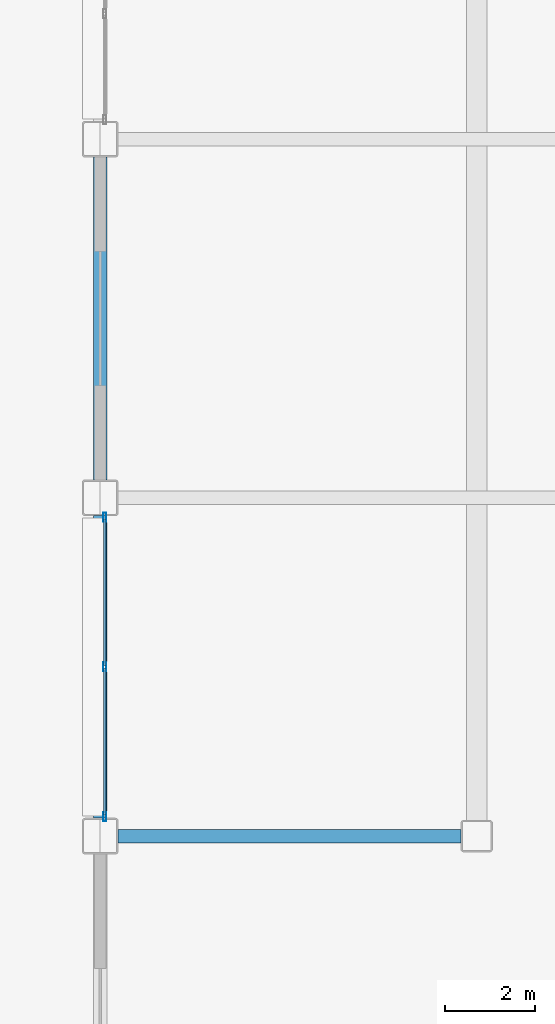
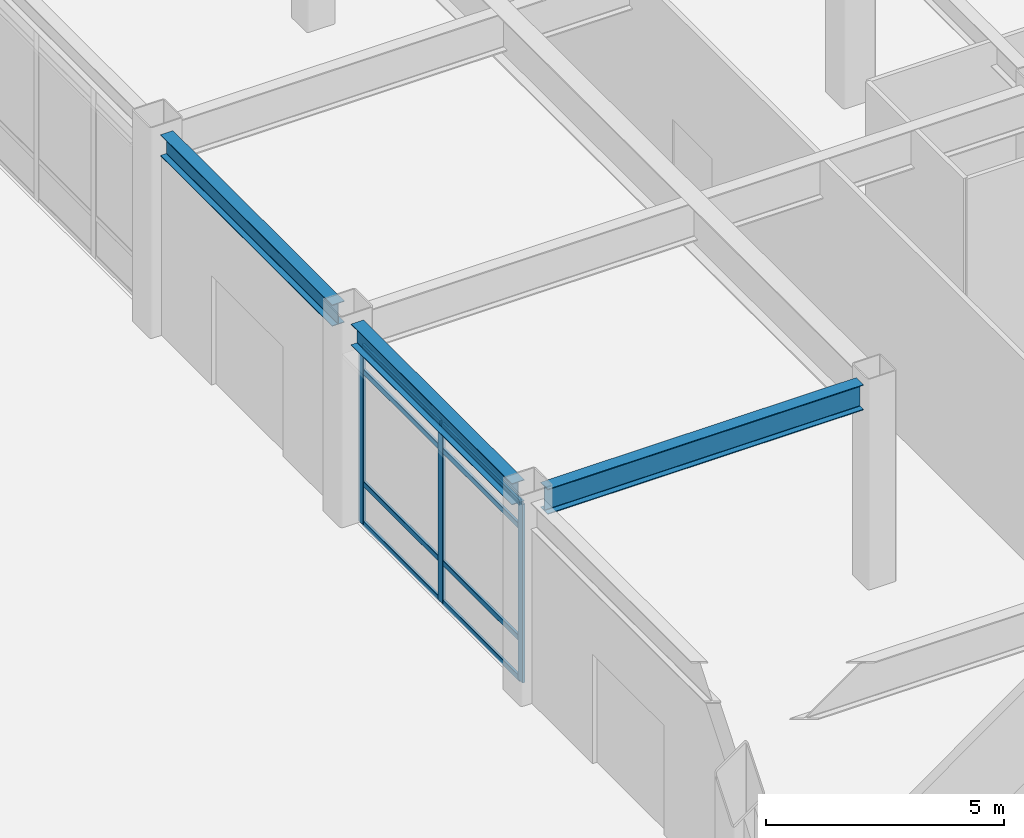
# One storey, part 101 of 165: 11 members, 3 beams, 1 element without a shape of its own.
"""IFC4 building model written with IfcOpenShell, lengths in metres."""

from ifc_helpers import new_model, si_unit, direction, frame, origin, origin_2d, place, context, subcontext, project, spatial, hollow_rectangle, i_section, extrude, material, layer, layer_set, material_profile, profile_set, type_object, element, aggregate, save


model = new_model("IFC4")

# Units and contexts
model_context = context("Model", 3, precision=1e-05, world=origin(), true_north=direction((0.0, 1.0)))
body_context = subcontext(model_context, "Body", "Model", "MODEL_VIEW")
ifc_project = project(units=[si_unit("LENGTHUNIT", "METRE"), si_unit("AREAUNIT", "SQUARE_METRE"), si_unit("VOLUMEUNIT", "CUBIC_METRE"), si_unit("PLANEANGLEUNIT", "RADIAN"), si_unit("MASSUNIT", "GRAM", prefix="KILO")], contexts=[model_context])

# Site, building, storey
site_placement = place(None, origin())
site = spatial("IfcSite", under=ifc_project, at=site_placement, CompositionType="ELEMENT")
building_placement = place(site_placement, origin())
building = spatial("IfcBuilding", under=site, at=building_placement, Name="Kazehara Bluff Congress Hotel", CompositionType="ELEMENT")
storey_placement = place(building_placement, origin())
storey = spatial("IfcBuildingStorey", under=building, at=storey_placement, Name="L00", CompositionType="ELEMENT", Elevation=0.0)

# Curtain wall, members
ifc_material_1 = material(Name="Anodised aluminium", Category="aluminium")
ifc_layer = layer(ifc_material_1, 0.159912109375)
ifc_layer_set = layer_set([ifc_layer], Name="Anodised aluminium")
curtain_wall_type = type_object("IfcCurtainWallType", Name="TP-CW-103", PredefinedType="NOTDEFINED", material=ifc_layer_set)
curtain_wall_placement = place(storey_placement, origin())
curtain_wall = element("IfcCurtainWall", 1, at=curtain_wall_placement, inside=storey, type_object=curtain_wall_type, Name="L00 curtain wall CW-103 CW-ENC-V5-L00-14380-7712", PredefinedType="NOTDEFINED")
ifc_material_2 = material(Name="Anodised aluminium", Category="aluminium")
ifc_material_profile_1 = material_profile(ifc_material_2, hollow_rectangle(XDim=0.070068359375, YDim=0.199951171875, WallThickness=0.0048828125, InnerFilletRadius=0.0048828125, OuterFilletRadius=0.010009765625, at=origin_2d()))
ifc_profile_set_1 = profile_set([ifc_material_profile_1], Name="Anodised aluminium")
member_type_1 = type_object("IfcMemberType", Name="TP-CWM-03", PredefinedType="MULLION", material=ifc_profile_set_1)
member_1_placement = place(storey_placement, frame((143.800048828125, 73.784912109375, 0.0), z_axis=(0.0, 0.0, 1.0), x_axis=(-1.0, 0.0, 0.0)))
member_1 = element("IfcMember", 2, at=member_1_placement, type_object=member_type_1, Name="CW-103 mullion 1", PredefinedType="MULLION", context=body_context, shape_type="SweptSolid", body=[
    extrude(hollow_rectangle(XDim=0.070068359375, YDim=0.199951171875, WallThickness=0.0048828125, InnerFilletRadius=0.0048828125, OuterFilletRadius=0.010009765625, at=origin_2d()), origin(), (0.0, 0.0, 1.0), 4.574951171875),
])
member_2_placement = place(storey_placement, frame((143.800048828125, 77.125, 0.0), z_axis=(0.0, 0.0, 1.0), x_axis=(-1.0, 0.0, 0.0)))
member_2 = element("IfcMember", 3, at=member_2_placement, type_object=member_type_1, Name="CW-103 mullion 2", PredefinedType="MULLION", context=body_context, shape_type="SweptSolid", body=[
    extrude(hollow_rectangle(XDim=0.070068359375, YDim=0.199951171875, WallThickness=0.0048828125, InnerFilletRadius=0.0048828125, OuterFilletRadius=0.010009765625, at=origin_2d()), origin(), (0.0, 0.0, 1.0), 4.574951171875),
])
member_3_placement = place(storey_placement, frame((143.800048828125, 80.465087890625, 0.0), z_axis=(0.0, 0.0, 1.0), x_axis=(-1.0, 0.0, 0.0)))
member_3 = element("IfcMember", 4, at=member_3_placement, type_object=member_type_1, Name="CW-103 mullion 3", PredefinedType="MULLION", context=body_context, shape_type="SweptSolid", body=[
    extrude(hollow_rectangle(XDim=0.070068359375, YDim=0.199951171875, WallThickness=0.0048828125, InnerFilletRadius=0.0048828125, OuterFilletRadius=0.010009765625, at=origin_2d()), origin(), (0.0, 0.0, 1.0), 4.574951171875),
])
ifc_material_3 = material(Name="Anodised aluminium", Category="aluminium")
ifc_material_profile_2 = material_profile(ifc_material_3, hollow_rectangle(XDim=0.06494140625, YDim=0.139892578125, WallThickness=0.00390625, InnerFilletRadius=0.00390625, OuterFilletRadius=0.008056640625, at=origin_2d()))
ifc_profile_set_2 = profile_set([ifc_material_profile_2], Name="Anodised aluminium")
member_type_2 = type_object("IfcMemberType", Name="TP-CWT-02", PredefinedType="USERDEFINED", material=ifc_profile_set_2)
member_4_placement = place(storey_placement, frame((143.800048828125, 73.820068359375, 0.032470703125), z_axis=(0.0, 1.0, 0.0), x_axis=(-1.0, 0.0, 0.0)))
member_4 = element("IfcMember", 5, at=member_4_placement, type_object=member_type_2, Name="CW-103 transom 1.1", ObjectType="TRANSOM", PredefinedType="USERDEFINED", context=body_context, shape_type="SweptSolid", body=[
    extrude(hollow_rectangle(XDim=0.06494140625, YDim=0.139892578125, WallThickness=0.00390625, InnerFilletRadius=0.00390625, OuterFilletRadius=0.008056640625, at=origin_2d()), origin(), (0.0, 0.0, 1.0), 3.27001953125),
])
member_5_placement = place(storey_placement, frame((143.800048828125, 73.820068359375, 1.050048828125), z_axis=(0.0, 1.0, 0.0), x_axis=(-1.0, 0.0, 0.0)))
member_5 = element("IfcMember", 6, at=member_5_placement, type_object=member_type_2, Name="CW-103 transom 1.2", ObjectType="TRANSOM", PredefinedType="USERDEFINED", context=body_context, shape_type="SweptSolid", body=[
    extrude(hollow_rectangle(XDim=0.06494140625, YDim=0.139892578125, WallThickness=0.00390625, InnerFilletRadius=0.00390625, OuterFilletRadius=0.008056640625, at=origin_2d()), origin(), (0.0, 0.0, 1.0), 3.27001953125),
])
member_6_placement = place(storey_placement, frame((143.800048828125, 73.820068359375, 3.925048828125), z_axis=(0.0, 1.0, 0.0), x_axis=(-1.0, 0.0, 0.0)))
member_6 = element("IfcMember", 7, at=member_6_placement, type_object=member_type_2, Name="CW-103 transom 1.3", ObjectType="TRANSOM", PredefinedType="USERDEFINED", context=body_context, shape_type="SweptSolid", body=[
    extrude(hollow_rectangle(XDim=0.06494140625, YDim=0.139892578125, WallThickness=0.00390625, InnerFilletRadius=0.00390625, OuterFilletRadius=0.008056640625, at=origin_2d()), origin(), (0.0, 0.0, 1.0), 3.27001953125),
])
member_7_placement = place(storey_placement, frame((143.800048828125, 73.820068359375, 4.54248046875), z_axis=(0.0, 1.0, 0.0), x_axis=(-1.0, 0.0, 0.0)))
member_7 = element("IfcMember", 8, at=member_7_placement, type_object=member_type_2, Name="CW-103 transom 1.4", ObjectType="TRANSOM", PredefinedType="USERDEFINED", context=body_context, shape_type="SweptSolid", body=[
    extrude(hollow_rectangle(XDim=0.06494140625, YDim=0.139892578125, WallThickness=0.00390625, InnerFilletRadius=0.00390625, OuterFilletRadius=0.008056640625, at=origin_2d()), origin(), (0.0, 0.0, 1.0), 3.27001953125),
])
member_8_placement = place(storey_placement, frame((143.800048828125, 77.159912109375, 0.032470703125), z_axis=(0.0, 1.0, 0.0), x_axis=(-1.0, 0.0, 0.0)))
member_8 = element("IfcMember", 9, at=member_8_placement, type_object=member_type_2, Name="CW-103 transom 2.1", ObjectType="TRANSOM", PredefinedType="USERDEFINED", context=body_context, shape_type="SweptSolid", body=[
    extrude(hollow_rectangle(XDim=0.06494140625, YDim=0.139892578125, WallThickness=0.00390625, InnerFilletRadius=0.00390625, OuterFilletRadius=0.008056640625, at=origin_2d()), origin(), (0.0, 0.0, 1.0), 3.27001953125),
])
member_9_placement = place(storey_placement, frame((143.800048828125, 77.159912109375, 1.050048828125), z_axis=(0.0, 1.0, 0.0), x_axis=(-1.0, 0.0, 0.0)))
member_9 = element("IfcMember", 10, at=member_9_placement, type_object=member_type_2, Name="CW-103 transom 2.2", ObjectType="TRANSOM", PredefinedType="USERDEFINED", context=body_context, shape_type="SweptSolid", body=[
    extrude(hollow_rectangle(XDim=0.06494140625, YDim=0.139892578125, WallThickness=0.00390625, InnerFilletRadius=0.00390625, OuterFilletRadius=0.008056640625, at=origin_2d()), origin(), (0.0, 0.0, 1.0), 3.27001953125),
])
member_10_placement = place(storey_placement, frame((143.800048828125, 77.159912109375, 3.925048828125), z_axis=(0.0, 1.0, 0.0), x_axis=(-1.0, 0.0, 0.0)))
member_10 = element("IfcMember", 11, at=member_10_placement, type_object=member_type_2, Name="CW-103 transom 2.3", ObjectType="TRANSOM", PredefinedType="USERDEFINED", context=body_context, shape_type="SweptSolid", body=[
    extrude(hollow_rectangle(XDim=0.06494140625, YDim=0.139892578125, WallThickness=0.00390625, InnerFilletRadius=0.00390625, OuterFilletRadius=0.008056640625, at=origin_2d()), origin(), (0.0, 0.0, 1.0), 3.27001953125),
])
member_11_placement = place(storey_placement, frame((143.800048828125, 77.159912109375, 4.54248046875), z_axis=(0.0, 1.0, 0.0), x_axis=(-1.0, 0.0, 0.0)))
member_11 = element("IfcMember", 12, at=member_11_placement, type_object=member_type_2, Name="CW-103 transom 2.4", ObjectType="TRANSOM", PredefinedType="USERDEFINED", context=body_context, shape_type="SweptSolid", body=[
    extrude(hollow_rectangle(XDim=0.06494140625, YDim=0.139892578125, WallThickness=0.00390625, InnerFilletRadius=0.00390625, OuterFilletRadius=0.008056640625, at=origin_2d()), origin(), (0.0, 0.0, 1.0), 3.27001953125),
])
aggregate(curtain_wall, [member_1, member_2, member_3, member_4, member_5, member_6, member_7, member_8, member_9, member_10, member_11])

# Beams
ifc_material_4 = material(Name="Steel SN490B", Category="steel")
ifc_material_profile_3 = material_profile(ifc_material_4, i_section(OverallWidth=0.300048828125, OverallDepth=0.64990234375, WebThickness=0.011962890625, FlangeThickness=0.02001953125, FilletRadius=0.012939453125, at=origin_2d()))
ifc_profile_set_3 = profile_set([ifc_material_profile_3], Name="Steel SN490B")
beam_type_1 = type_object("IfcBeamType", Name="TP-G-03", PredefinedType="BEAM", material=ifc_profile_set_3)
beam_1_placement = place(storey_placement, frame((144.10009765625, 73.35009765625, 4.824951171875), z_axis=(1.0, 0.0, 0.0), x_axis=(0.0, 1.0, 0.0)))
element("IfcBeam", 13, at=beam_1_placement, inside=storey, type_object=beam_type_1, Name="L00 girder G-03 305", PredefinedType="BEAM", context=body_context, shape_type="SweptSolid", body=[
    extrude(i_section(OverallWidth=0.300048828125, OverallDepth=0.64990234375, WebThickness=0.011962890625, FlangeThickness=0.02001953125, FilletRadius=0.012939453125, at=origin_2d()), origin(), (0.0, 0.0, 1.0), 7.64990234375),
])
ifc_material_5 = material(Name="Steel SN490B", Category="steel")
ifc_material_profile_4 = material_profile(ifc_material_5, i_section(OverallWidth=0.300048828125, OverallDepth=0.550048828125, WebThickness=0.010986328125, FlangeThickness=0.01806640625, FilletRadius=0.012939453125, at=origin_2d()))
ifc_profile_set_4 = profile_set([ifc_material_profile_4], Name="Steel SN490B")
beam_type_2 = type_object("IfcBeamType", Name="TP-SP-01", PredefinedType="SPANDREL", material=ifc_profile_set_4)
beam_2_placement = place(storey_placement, frame((143.699951171875, 73.75, 4.875), z_axis=(0.0, 1.0, 0.0), x_axis=(-1.0, 0.0, 0.0)))
element("IfcBeam", 14, at=beam_2_placement, inside=storey, type_object=beam_type_2, Name="L00 girder SP-01 237", PredefinedType="SPANDREL", context=body_context, shape_type="SweptSolid", body=[
    extrude(i_section(OverallWidth=0.300048828125, OverallDepth=0.550048828125, WebThickness=0.010986328125, FlangeThickness=0.01806640625, FilletRadius=0.012939453125, at=origin_2d()), origin(), (0.0, 0.0, 1.0), 6.75),
])
beam_3_placement = place(storey_placement, frame((143.699951171875, 81.300048828125, 4.875), z_axis=(0.0, 1.0, 0.0), x_axis=(-1.0, 0.0, 0.0)))
element("IfcBeam", 15, at=beam_3_placement, inside=storey, type_object=beam_type_2, Name="L00 girder SP-01 238", PredefinedType="SPANDREL", context=body_context, shape_type="SweptSolid", body=[
    extrude(i_section(OverallWidth=0.300048828125, OverallDepth=0.550048828125, WebThickness=0.010986328125, FlangeThickness=0.01806640625, FilletRadius=0.012939453125, at=origin_2d()), origin(), (0.0, 0.0, 1.0), 7.199951171875),
])

save(model, "model.ifc")
